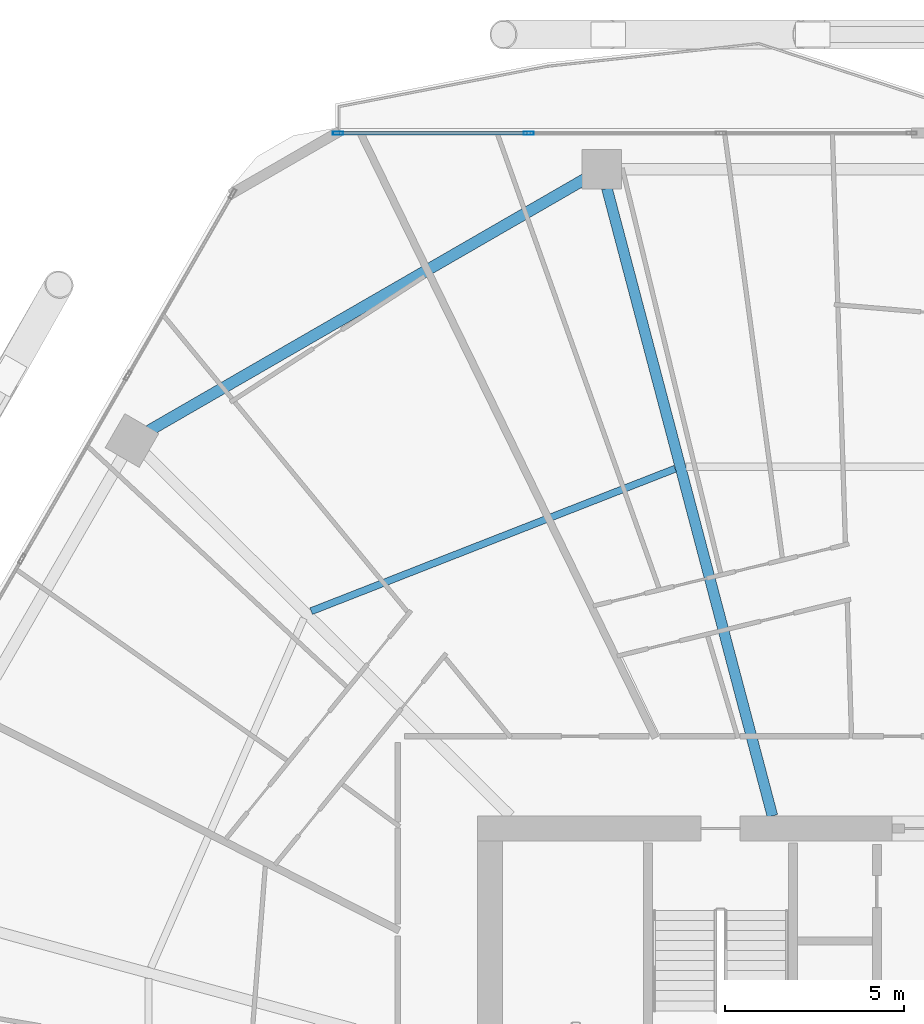
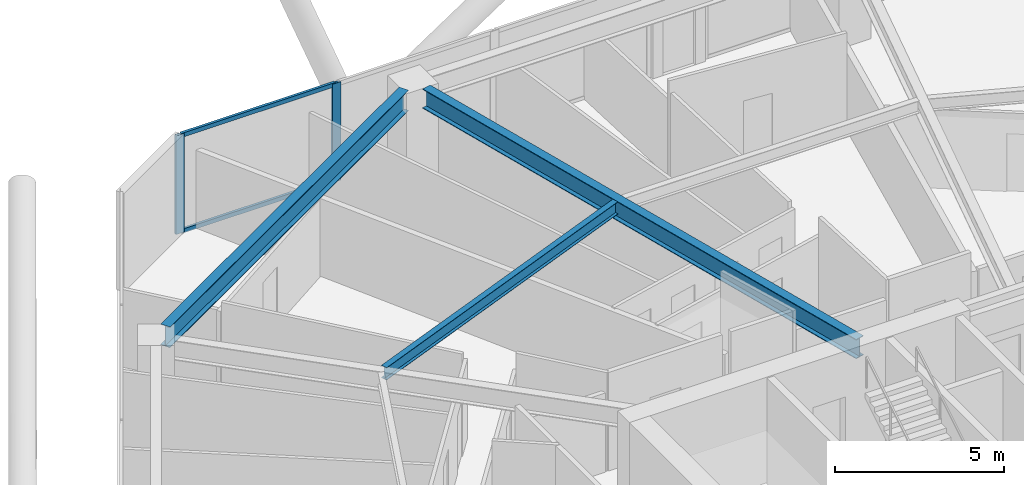
# One storey, part 17 of 35: 4 members, 3 beams, 1 element without a shape of its own.
"""IFC4 building model written with IfcOpenShell, lengths in metres."""

from ifc_helpers import new_model, si_unit, direction, frame, origin, origin_2d, place, context, subcontext, project, spatial, hollow_rectangle, i_section, extrude, material, material_profile, profile_set, type_object, element, aggregate, save


model = new_model("IFC4")

# Units and contexts
model_context = context("Model", 3, precision=1e-05, world=origin(), true_north=direction((0.0, 1.0)))
body_context = subcontext(model_context, "Body", "Model", "MODEL_VIEW")
ifc_project = project(units=[si_unit("LENGTHUNIT", "METRE"), si_unit("AREAUNIT", "SQUARE_METRE"), si_unit("VOLUMEUNIT", "CUBIC_METRE"), si_unit("PLANEANGLEUNIT", "RADIAN"), si_unit("MASSUNIT", "GRAM", prefix="KILO")], contexts=[model_context])

# Site, building, storey
site_placement = place(None, origin())
site = spatial("IfcSite", under=ifc_project, at=site_placement, CompositionType="ELEMENT")
building_placement = place(site_placement, origin())
building = spatial("IfcBuilding", under=site, at=building_placement, Name="Zuhravey Tower", CompositionType="ELEMENT")
storey_placement = place(building_placement, frame((0.0, 0.0, 115.199951171875)))
storey = spatial("IfcBuildingStorey", under=building, at=storey_placement, Name="L28", CompositionType="ELEMENT", Elevation=115.199951171875)

# Curtain wall, members
ifc_material_1 = material(Name="Thermally broken anodised aluminium", Category="aluminium")
curtain_wall_type = type_object("IfcCurtainWallType", Name="Zone 1-2 Residential Curtain Wall CW3", PredefinedType="NOTDEFINED", material=ifc_material_1)
curtain_wall_placement = place(storey_placement, origin())
curtain_wall = element("IfcCurtainWall", 1, at=curtain_wall_placement, inside=storey, type_object=curtain_wall_type, Name="L28 CW3 CW-L28-F2-1", PredefinedType="NOTDEFINED")
ifc_material_2 = material(Name="Anodised aluminium", Category="aluminium")
ifc_material_profile_1 = material_profile(ifc_material_2, hollow_rectangle(XDim=0.090087890625, YDim=0.284912109375, WallThickness=0.0048828125, at=origin_2d()), Name="ALU-RHS-90x285x5")
ifc_profile_set_1 = profile_set([ifc_material_profile_1], Name="Anodised aluminium")
member_type_1 = type_object("IfcMemberType", Name="Curtain-Wall Mullion 90x180", PredefinedType="MULLION", material=ifc_profile_set_1)
member_1_placement = place(storey_placement, frame((21.24560546875, 60.95849609375, 0.0), z_axis=(0.0, 0.0, 1.0), x_axis=(0.0, 1.0, 0.0)))
member_1 = element("IfcMember", 2, at=member_1_placement, type_object=member_type_1, Name="CW3 mullion 1", PredefinedType="MULLION", context=body_context, shape_type="SweptSolid", body=[
    extrude(hollow_rectangle(XDim=0.090087890625, YDim=0.284912109375, WallThickness=0.0048828125, at=origin_2d()), origin(), (0.0, 0.0, 1.0), 3.550048828125),
])
member_2_placement = place(storey_placement, frame((26.581787109375, 60.95849609375, 0.0), z_axis=(0.0, 0.0, 1.0), x_axis=(0.0, 1.0, 0.0)))
member_2 = element("IfcMember", 3, at=member_2_placement, type_object=member_type_1, Name="CW3 mullion 2", PredefinedType="MULLION", context=body_context, shape_type="SweptSolid", body=[
    extrude(hollow_rectangle(XDim=0.090087890625, YDim=0.284912109375, WallThickness=0.0048828125, at=origin_2d()), origin(), (0.0, 0.0, 1.0), 3.550048828125),
])
ifc_material_profile_2 = material_profile(ifc_material_2, hollow_rectangle(XDim=0.090087890625, YDim=0.14990234375, WallThickness=0.0048828125, at=origin_2d()), Name="ALU-RHS-90x150x5")
ifc_profile_set_2 = profile_set([ifc_material_profile_2], Name="Anodised aluminium")
member_type_2 = type_object("IfcMemberType", Name="Curtain-Wall Transom 90x150", PredefinedType="USERDEFINED", material=ifc_profile_set_2)
member_3_placement = place(storey_placement, frame((21.29052734375, 60.95849609375, 0.045166015625), z_axis=(1.0, 0.0, 0.0), x_axis=(0.0, 1.0, 0.0)))
member_3 = element("IfcMember", 4, at=member_3_placement, type_object=member_type_2, Name="CW3 transom 1.1", ObjectType="TRANSOM", PredefinedType="USERDEFINED", context=body_context, shape_type="SweptSolid", body=[
    extrude(hollow_rectangle(XDim=0.090087890625, YDim=0.14990234375, WallThickness=0.0048828125, at=origin_2d()), origin(), (0.0, 0.0, 1.0), 5.24609375),
])
member_4_placement = place(storey_placement, frame((21.29052734375, 60.95849609375, 3.505126953125), z_axis=(1.0, 0.0, 0.0), x_axis=(0.0, 1.0, 0.0)))
member_4 = element("IfcMember", 5, at=member_4_placement, type_object=member_type_2, Name="CW3 transom 1.2", ObjectType="TRANSOM", PredefinedType="USERDEFINED", context=body_context, shape_type="SweptSolid", body=[
    extrude(hollow_rectangle(XDim=0.090087890625, YDim=0.14990234375, WallThickness=0.0048828125, at=origin_2d()), origin(), (0.0, 0.0, 1.0), 5.24609375),
])
aggregate(curtain_wall, [member_1, member_2, member_3, member_4])

# Beams
ifc_material_3 = material(Name="Steel SM355", Category="steel")
ifc_material_profile_3 = material_profile(ifc_material_3, i_section(OverallWidth=0.320068359375, OverallDepth=0.75, WebThickness=0.013916015625, FlangeThickness=0.02490234375, at=origin_2d()), Name="H-750x320x14x25")
ifc_profile_set_3 = profile_set([ifc_material_profile_3], Name="Steel SM355")
beam_type_1 = type_object("IfcBeamType", Name="Perimeter Ring Beam H750x320", PredefinedType="BEAM", material=ifc_profile_set_3)
beam_1_placement = place(storey_placement, frame((28.151123046875, 59.672119140625, 3.175048828125), z_axis=(-0.866017786538, -0.500013193225, 0.0), x_axis=(0.500013193225, -0.866017786538, 0.0)))
element("IfcBeam", 6, at=beam_1_placement, inside=storey, type_object=beam_type_1, Name="L28 PB1 BM-L28-PB-04", PredefinedType="BEAM", context=body_context, shape_type="SweptSolid", body=[
    extrude(i_section(OverallWidth=0.320068359375, OverallDepth=0.75, WebThickness=0.013916015625, FlangeThickness=0.02490234375, at=origin_2d()), origin(), (0.0, 0.0, 1.0), 14.0771484375),
])
ifc_material_profile_4 = material_profile(ifc_material_3, i_section(OverallWidth=0.300048828125, OverallDepth=0.699951171875, WebThickness=0.012939453125, FlangeThickness=0.02392578125, at=origin_2d()), Name="H-700x300x13x24")
ifc_profile_set_4 = profile_set([ifc_material_profile_4], Name="Steel SM355")
beam_type_2 = type_object("IfcBeamType", Name="Radial Primary Girder H700x300", PredefinedType="BEAM", material=ifc_profile_set_4)
beam_2_placement = place(storey_placement, frame((33.40185546875, 41.85302734375, 3.199951171875), z_axis=(-0.25498755891, 0.966944333869, 0.0), x_axis=(-0.966944333869, -0.25498755891, 0.0)))
element("IfcBeam", 7, at=beam_2_placement, inside=storey, type_object=beam_type_2, Name="L28 RG1 BM-L28-RAD-04", PredefinedType="BEAM", context=body_context, shape_type="SweptSolid", body=[
    extrude(i_section(OverallWidth=0.300048828125, OverallDepth=0.699951171875, WebThickness=0.012939453125, FlangeThickness=0.02392578125, at=origin_2d()), origin(), (0.0, 0.0, 1.0), 18.1611328125),
])
ifc_material_profile_5 = material_profile(ifc_material_3, i_section(OverallWidth=0.199951171875, OverallDepth=0.449951171875, WebThickness=0.009033203125, FlangeThickness=0.013916015625, at=origin_2d()), Name="H-450x200x9x14")
ifc_profile_set_5 = profile_set([ifc_material_profile_5], Name="Steel SM355")
beam_type_3 = type_object("IfcBeamType", Name="Secondary Floor Joist H450x200", PredefinedType="JOIST", material=ifc_profile_set_5)
beam_3_placement = place(storey_placement, frame((30.681640625, 51.568359375, 3.324951171875), z_axis=(-0.931216764731, -0.364465824302, 0.0), x_axis=(0.364465824302, -0.931216764731, 0.0)))
element("IfcBeam", 8, at=beam_3_placement, inside=storey, type_object=beam_type_3, Name="L28 SJ1 BM-L28-SJ-04-1", PredefinedType="JOIST", context=body_context, shape_type="SweptSolid", body=[
    extrude(i_section(OverallWidth=0.199951171875, OverallDepth=0.449951171875, WebThickness=0.009033203125, FlangeThickness=0.013916015625, at=origin_2d()), origin(), (0.0, 0.0, 1.0), 10.939453125),
])

save(model, "model.ifc")
